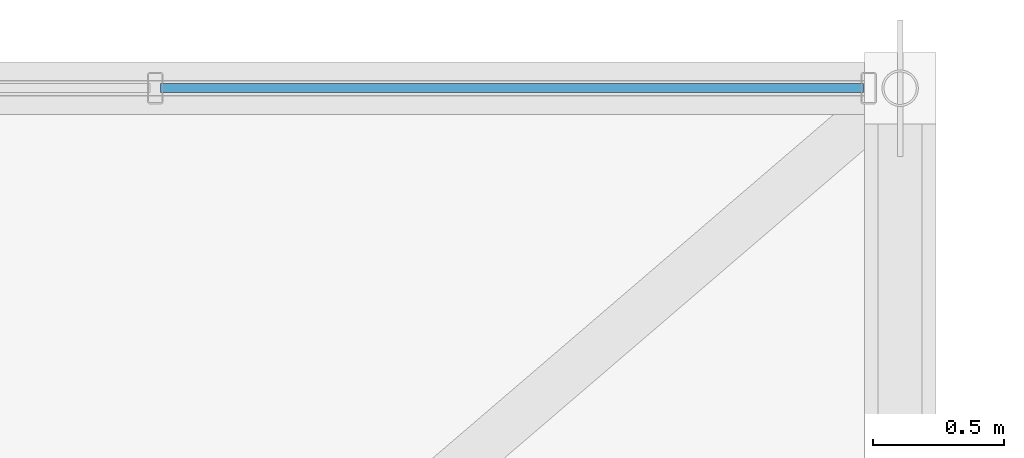
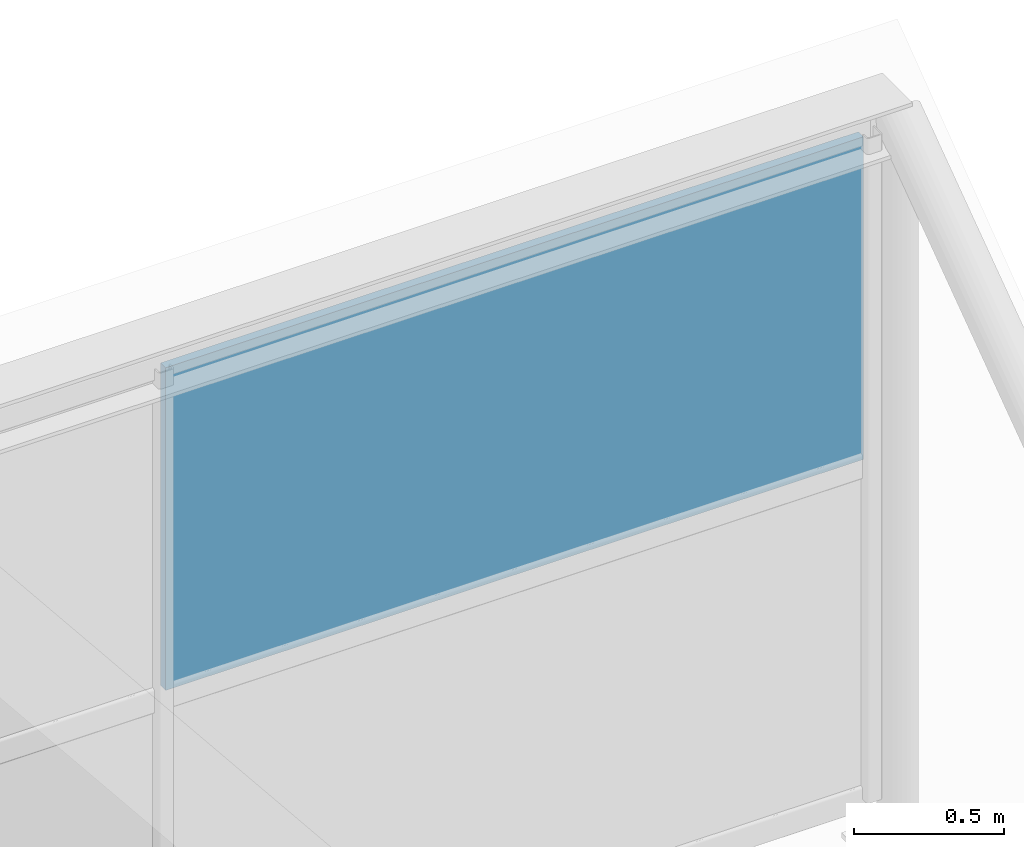
# One storey, part 112 of 134: 1 plate, 1 element without a shape of its own.
"""IFC4 building model written with IfcOpenShell, lengths in metres."""

from ifc_helpers import new_model, si_unit, derived_unit, direction, frame, origin, origin_2d, place, context, subcontext, project, spatial, rectangle, extrude, material, layer, layer_set, type_object, element, aggregate, save


model = new_model("IFC4")

# Units and contexts
model_context = context("Model", 3, precision=1e-05, world=origin(), true_north=direction((0.0, 1.0)))
body_context = subcontext(model_context, "Body", "Model", "MODEL_VIEW")
ifc_project = project(units=[si_unit("LENGTHUNIT", "METRE"), si_unit("AREAUNIT", "SQUARE_METRE"), si_unit("VOLUMEUNIT", "CUBIC_METRE"), si_unit("PLANEANGLEUNIT", "RADIAN"), si_unit("MASSUNIT", "GRAM", prefix="KILO"), derived_unit("THERMALTRANSMITTANCEUNIT", [(si_unit("MASSUNIT", "GRAM", prefix="KILO"), 1), (si_unit("TIMEUNIT", "SECOND"), -3), (si_unit("THERMODYNAMICTEMPERATUREUNIT", "KELVIN"), -1)])], contexts=[model_context])

# Site, building, storey
site_placement = place(None, origin())
site = spatial("IfcSite", under=ifc_project, at=site_placement, CompositionType="ELEMENT")
building_placement = place(site_placement, origin())
building = spatial("IfcBuilding", under=site, at=building_placement, Name="Kharveza Railside Sports Centre", CompositionType="ELEMENT")
storey_placement = place(building_placement, frame((0.0, 0.0, 12.89990234375)))
storey = spatial("IfcBuildingStorey", under=building, at=storey_placement, Name="L03", CompositionType="ELEMENT", Elevation=12.89990234375)

# Curtain wall, plate
ifc_material = material(Name="Low-E solar-control laminated glass", Category="glass")
curtain_wall_type = type_object("IfcCurtainWallType", Name="CW-NL02", PredefinedType="NOTDEFINED", material=ifc_material)
curtain_wall_placement = place(storey_placement, origin())
curtain_wall = element("IfcCurtainWall", 1, at=curtain_wall_placement, inside=storey, type_object=curtain_wall_type, Name="CW-V2NL-7-6", PredefinedType="NOTDEFINED")
ifc_layer = layer(ifc_material, 0.033935546875, Name="Low-E solar-control laminated glass")
ifc_layer_set = layer_set([ifc_layer], Name="Low-E solar-control laminated glass")
plate_type = type_object("IfcPlateType", Name="PL-CP06", PredefinedType="CURTAIN_PANEL", material=ifc_layer_set)
plate_placement = place(storey_placement, frame((141.320068359375, 108.0, 3.570068359375), z_axis=(0.0, 0.0, 1.0), x_axis=(1.0, 0.0, 0.0)))
plate = element("IfcPlate", 2, at=plate_placement, type_object=plate_type, Name="CW-V2NL-7-6-PN32", PredefinedType="CURTAIN_PANEL", context=body_context, shape_type="SweptSolid", body=[
    extrude(rectangle(XDim=2.679931640625, YDim=0.033935546875, at=origin_2d()), origin(), (0.0, 0.0, 1.0), 1.31005859375),
])
aggregate(curtain_wall, [plate])

save(model, "model.ifc")
